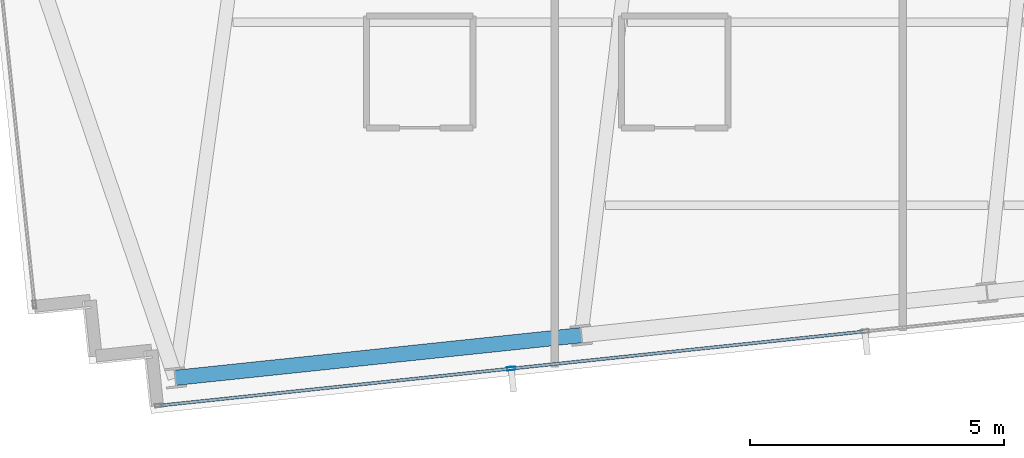
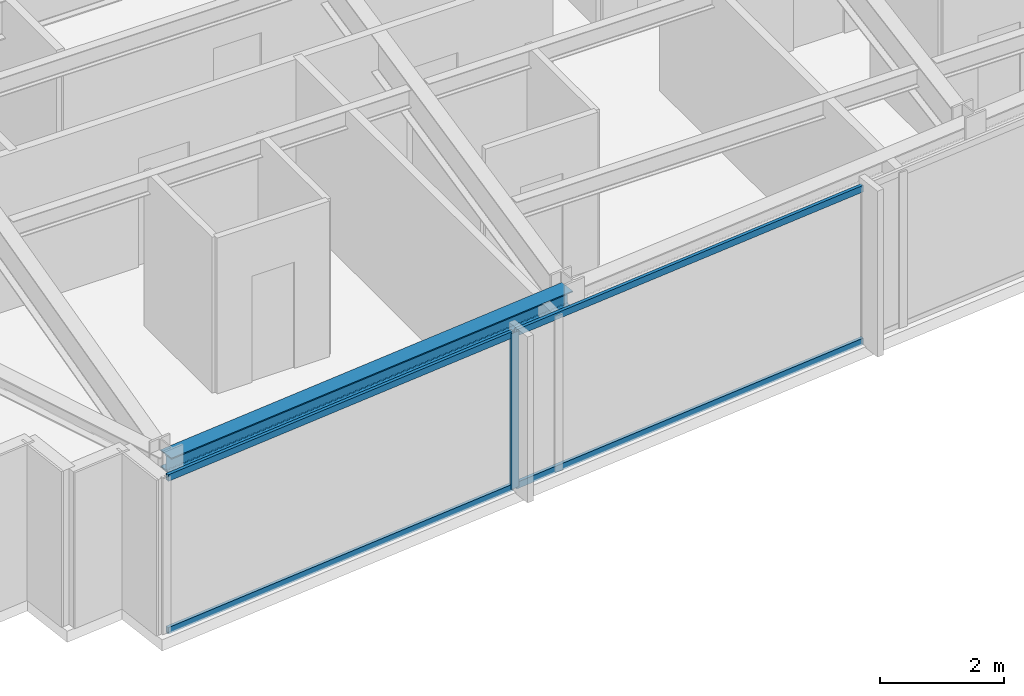
# One storey, part 3 of 33: 5 members, 1 beam, 1 element without a shape of its own.
"""IFC4 building model written with IfcOpenShell, lengths in metres."""

from ifc_helpers import new_model, si_unit, direction, frame, origin, origin_2d, place, context, subcontext, project, spatial, hollow_rectangle, i_section, extrude, material, material_profile, profile_set, type_object, element, aggregate, save


model = new_model("IFC4")

# Units and contexts
model_context = context("Model", 3, precision=1e-05, world=origin(), true_north=direction((0.0, 1.0)))
body_context = subcontext(model_context, "Body", "Model", "MODEL_VIEW")
ifc_project = project(units=[si_unit("LENGTHUNIT", "METRE"), si_unit("AREAUNIT", "SQUARE_METRE"), si_unit("VOLUMEUNIT", "CUBIC_METRE"), si_unit("PLANEANGLEUNIT", "RADIAN"), si_unit("MASSUNIT", "GRAM", prefix="KILO")], contexts=[model_context])

# Site, building, storey
site_placement = place(None, origin())
site = spatial("IfcSite", under=ifc_project, at=site_placement, CompositionType="ELEMENT")
building_placement = place(site_placement, origin())
building = spatial("IfcBuilding", under=site, at=building_placement, Name="Yelkora Congress Tower", CompositionType="ELEMENT")
storey_placement = place(building_placement, frame((0.0, 0.0, 234.199951171875)))
storey = spatial("IfcBuildingStorey", under=building, at=storey_placement, Name="L65", CompositionType="ELEMENT", Elevation=234.199951171875)

# Beam
ifc_material_1 = material(Name="Steel S355J2", Category="steel")
ifc_material_profile_1 = material_profile(ifc_material_1, i_section(OverallWidth=0.300048828125, OverallDepth=0.340087890625, WebThickness=0.011962890625, FlangeThickness=0.021484375, FilletRadius=0.027099609375, at=origin_2d()), Name="HEB 340")
ifc_profile_set_1 = profile_set([ifc_material_profile_1], Name="Steel S355J2")
beam_type = type_object("IfcBeamType", Name="BM-SPAN-HEB340", PredefinedType="SPANDREL", material=ifc_profile_set_1)
beam_placement = place(storey_placement, frame((21.299072265625, 12.678466796875, 2.91015625), z_axis=(0.994520097542, 0.104545567032, 0.0), x_axis=(-0.104545567032, 0.994520097542, 0.0)))
element("IfcBeam", 1, at=beam_placement, inside=storey, type_object=beam_type, Name="L65 Perimeter Beam 3", PredefinedType="SPANDREL", context=body_context, shape_type="SweptSolid", body=[
    extrude(i_section(OverallWidth=0.300048828125, OverallDepth=0.340087890625, WebThickness=0.011962890625, FlangeThickness=0.021484375, FilletRadius=0.027099609375, at=origin_2d()), origin(), (0.0, 0.0, 1.0), 8.033203125),
])

# Curtain wall, members
ifc_material_2 = material(Name="Anodised aluminium and insulated glass", Category="aluminium")
curtain_wall_type = type_object("IfcCurtainWallType", Name="CW-SYS-B4", PredefinedType="NOTDEFINED", material=ifc_material_2)
curtain_wall_placement = place(storey_placement, origin())
curtain_wall = element("IfcCurtainWall", 2, at=curtain_wall_placement, inside=storey, type_object=curtain_wall_type, Name="L65 Unitised Curtain Wall 20", PredefinedType="NOTDEFINED")
ifc_material_3 = material(Name="Anodised aluminium 6063-T6", Category="aluminium")
ifc_material_profile_2 = material_profile(ifc_material_3, hollow_rectangle(XDim=0.06494140625, YDim=0.159912109375, WallThickness=0.00390625, at=origin_2d()), Name="ALU 65x160x4")
ifc_profile_set_2 = profile_set([ifc_material_profile_2], Name="Anodised aluminium 6063-T6")
member_type_1 = type_object("IfcMemberType", Name="MEM-ML-B4", PredefinedType="MULLION", material=ifc_profile_set_2)
member_1_placement = place(storey_placement, frame((27.9091796875, 12.860595703125, 0.0), z_axis=(0.0, 0.0, 1.0), x_axis=(0.104526664994, -0.994522084373, 0.0)))
member_1 = element("IfcMember", 3, at=member_1_placement, type_object=member_type_1, Name="CW-B4 mullion 7", PredefinedType="MULLION", context=body_context, shape_type="SweptSolid", body=[
    extrude(hollow_rectangle(XDim=0.06494140625, YDim=0.159912109375, WallThickness=0.00390625, at=origin_2d()), origin(), (0.0, 0.0, 1.0), 3.080078125),
])
ifc_material_profile_3 = material_profile(ifc_material_3, hollow_rectangle(XDim=0.06005859375, YDim=0.1298828125, WallThickness=0.00390625, at=origin_2d()), Name="ALU 60x130x4")
ifc_profile_set_3 = profile_set([ifc_material_profile_3], Name="Anodised aluminium 6063-T6")
member_type_2 = type_object("IfcMemberType", Name="MEM-TR-B4", PredefinedType="USERDEFINED", material=ifc_profile_set_3)
member_2_placement = place(storey_placement, frame((34.84130859375, 13.589111328125, 0.030029296875), z_axis=(-0.994519904787, -0.104547400648, 0.0), x_axis=(0.104547400648, -0.994519904787, 0.0)))
member_2 = element("IfcMember", 4, at=member_2_placement, type_object=member_type_2, Name="CW-B4 transom 6.1", ObjectType="TRANSOM", PredefinedType="USERDEFINED", context=body_context, shape_type="SweptSolid", body=[
    extrude(hollow_rectangle(XDim=0.06005859375, YDim=0.1298828125, WallThickness=0.00390625, at=origin_2d()), origin(), (0.0, 0.0, 1.0), 6.93798828125),
])
member_3_placement = place(storey_placement, frame((34.84130859375, 13.589111328125, 3.050048828125), z_axis=(-0.994519904787, -0.104547400648, 0.0), x_axis=(0.104547400648, -0.994519904787, 0.0)))
member_3 = element("IfcMember", 5, at=member_3_placement, type_object=member_type_2, Name="CW-B4 transom 6.2", ObjectType="TRANSOM", PredefinedType="USERDEFINED", context=body_context, shape_type="SweptSolid", body=[
    extrude(hollow_rectangle(XDim=0.06005859375, YDim=0.1298828125, WallThickness=0.00390625, at=origin_2d()), origin(), (0.0, 0.0, 1.0), 6.93798828125),
])
member_4_placement = place(storey_placement, frame((27.876708984375, 12.857177734375, 0.030029296875), z_axis=(-0.994519973075, -0.104546751053, 0.0), x_axis=(0.104546751053, -0.994519973075, 0.0)))
member_4 = element("IfcMember", 6, at=member_4_placement, type_object=member_type_2, Name="CW-B4 transom 7.1", ObjectType="TRANSOM", PredefinedType="USERDEFINED", context=body_context, shape_type="SweptSolid", body=[
    extrude(hollow_rectangle(XDim=0.06005859375, YDim=0.1298828125, WallThickness=0.00390625, at=origin_2d()), origin(), (0.0, 0.0, 1.0), 6.9052734375),
])
member_5_placement = place(storey_placement, frame((27.876708984375, 12.857177734375, 3.050048828125), z_axis=(-0.994519973075, -0.104546751053, 0.0), x_axis=(0.104546751053, -0.994519973075, 0.0)))
member_5 = element("IfcMember", 7, at=member_5_placement, type_object=member_type_2, Name="CW-B4 transom 7.2", ObjectType="TRANSOM", PredefinedType="USERDEFINED", context=body_context, shape_type="SweptSolid", body=[
    extrude(hollow_rectangle(XDim=0.06005859375, YDim=0.1298828125, WallThickness=0.00390625, at=origin_2d()), origin(), (0.0, 0.0, 1.0), 6.9052734375),
])
aggregate(curtain_wall, [member_1, member_2, member_3, member_4, member_5])

save(model, "model.ifc")
